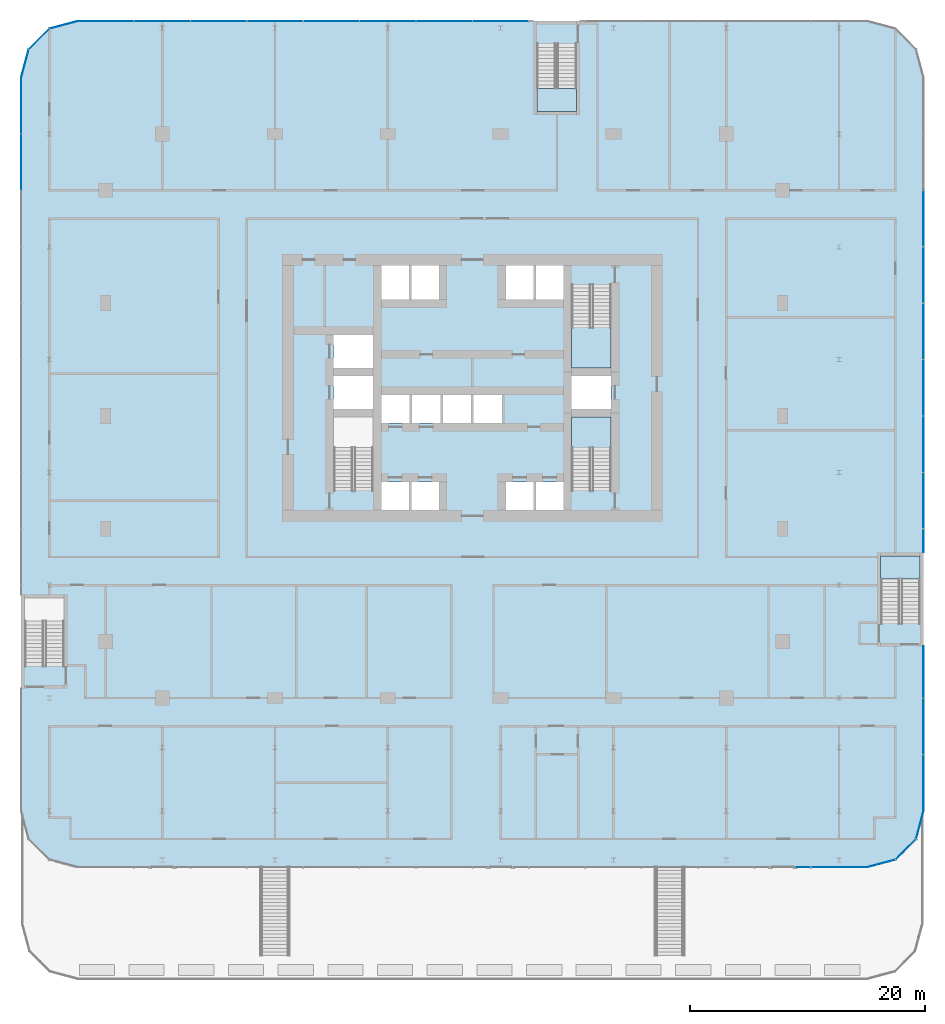
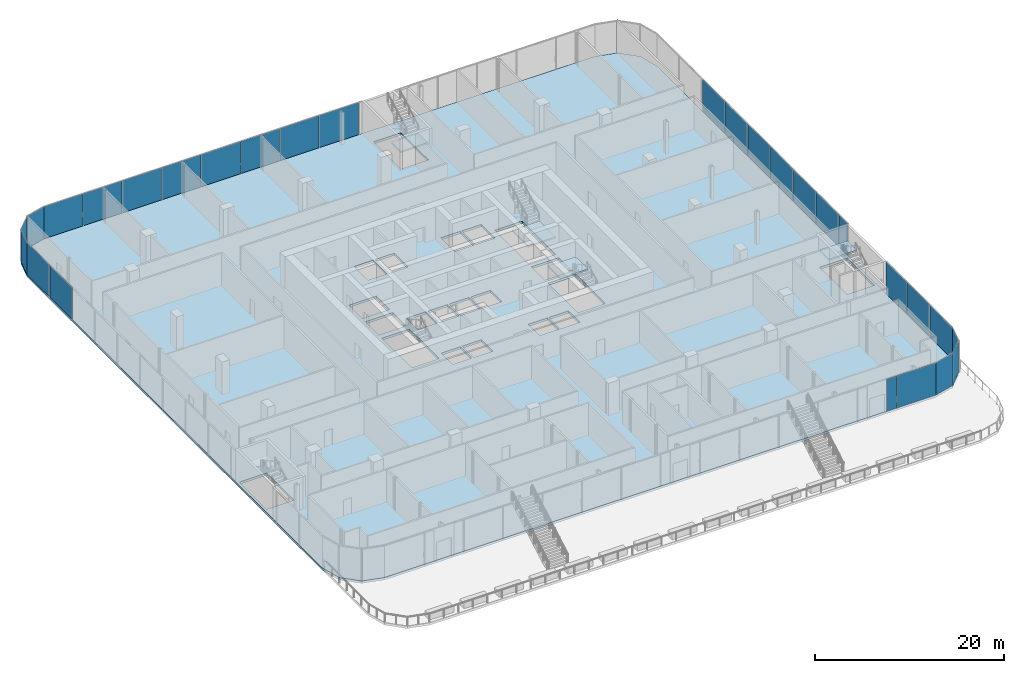
# One storey, part 24 of 38: 28 plates, 5 slabs, 10 elements without a shape of their own.
"""IFC4 building model written with IfcOpenShell, lengths in metres."""

from ifc_helpers import new_model, si_unit, direction, frame, origin, origin_2d, place, context, subcontext, project, spatial, polyline, rectangle, outline, extrude, material, layer, layer_set, type_object, element, aggregate, save


model = new_model("IFC4")

# Units and contexts
model_context = context("Model", 3, precision=1e-05, world=origin(), true_north=direction((0.0, 1.0)))
body_context = subcontext(model_context, "Body", "Model", "MODEL_VIEW")
ifc_project = project(units=[si_unit("LENGTHUNIT", "METRE"), si_unit("AREAUNIT", "SQUARE_METRE"), si_unit("VOLUMEUNIT", "CUBIC_METRE"), si_unit("PLANEANGLEUNIT", "RADIAN"), si_unit("MASSUNIT", "GRAM", prefix="KILO")], contexts=[model_context])

# Site, building, storey
site_placement = place(None, origin())
site = spatial("IfcSite", under=ifc_project, at=site_placement, CompositionType="ELEMENT")
building_placement = place(site_placement, origin())
building = spatial("IfcBuilding", under=site, at=building_placement, Name="Madar Terraces", CompositionType="ELEMENT")
storey_placement = place(building_placement, frame((0.0, 0.0, 15.0)))
storey = spatial("IfcBuildingStorey", under=building, at=storey_placement, Name="L03", CompositionType="ELEMENT", Elevation=15.0)

# Slab
ifc_material_1 = material(Name="Concrete C50/60", Category="concrete")
ifc_layer_1 = layer(ifc_material_1, 0.300048828125)
ifc_layer_set_1 = layer_set([ifc_layer_1], Name="FS2 PT flat slab 300")
slab_type_1 = type_object("IfcSlabType", Name="FS2 PT flat slab 300", PredefinedType="FLOOR", material=ifc_layer_set_1)
slab_1_placement = place(storey_placement, frame((0.0, 0.0, -0.300048828125)))
element("IfcSlab", 1, at=slab_1_placement, inside=storey, type_object=slab_type_1, Name="Floor slab L03 (1)", PredefinedType="FLOOR", context=body_context, shape_type="SweptSolid", body=[
    extrude(outline(polyline([(64.800048828125, -14.39990234375), (67.199951171875, -13.7568359375), (68.95703125, -12.0), (69.60009765625, -9.60009765625), (69.60009765625, 52.800048828125), (68.95703125, 55.199951171875), (67.199951171875, 56.95703125), (64.800048828125, 57.60009765625), (-2.39990234375, 57.60009765625), (-4.800048828125, 56.95703125), (-6.556884765625, 55.199951171875), (-7.199951171875, 52.800048828125), (-7.199951171875, -9.60009765625), (-6.556884765625, -12.0), (-4.800048828125, -13.7568359375), (-2.39990234375, -14.39990234375), (64.800048828125, -14.39990234375)]), holes=[polyline([(-6.89990234375, 2.75), (-6.89990234375, 8.5), (-3.550048828125, 8.5), (-3.550048828125, 2.75), (-6.89990234375, 2.75)]), polyline([(23.449951171875, 16.0), (23.449951171875, 18.39990234375), (25.800048828125, 18.39990234375), (25.800048828125, 16.0), (23.449951171875, 16.0)]), polyline([(26.0, 16.0), (26.0, 18.39990234375), (28.35009765625, 18.39990234375), (28.35009765625, 16.0), (26.0, 16.0)]), polyline([(19.39990234375, 23.89990234375), (22.75, 23.89990234375), (22.75, 17.64990234375), (19.39990234375, 17.64990234375), (19.39990234375, 23.89990234375)]), polyline([(23.449951171875, 25.800048828125), (25.86669921875, 25.800048828125), (25.86669921875, 23.39990234375), (23.449951171875, 23.39990234375), (23.449951171875, 25.800048828125)]), polyline([(26.066650390625, 23.39990234375), (26.066650390625, 25.800048828125), (28.4833984375, 25.800048828125), (28.4833984375, 23.39990234375), (26.066650390625, 23.39990234375)]), polyline([(28.683349609375, 23.39990234375), (28.683349609375, 25.800048828125), (31.10009765625, 25.800048828125), (31.10009765625, 23.39990234375), (28.683349609375, 23.39990234375)]), polyline([(19.39990234375, 24.60009765625), (19.39990234375, 27.39990234375), (22.75, 27.39990234375), (22.75, 24.60009765625), (19.39990234375, 24.60009765625)]), polyline([(19.39990234375, 30.89990234375), (22.75, 30.89990234375), (22.75, 28.10009765625), (19.39990234375, 28.10009765625), (19.39990234375, 30.89990234375)]), polyline([(23.449951171875, 36.800048828125), (25.800048828125, 36.800048828125), (25.800048828125, 33.89990234375), (23.449951171875, 33.89990234375), (23.449951171875, 36.800048828125)]), polyline([(26.0, 33.89990234375), (26.0, 36.800048828125), (28.35009765625, 36.800048828125), (28.35009765625, 33.89990234375), (26.0, 33.89990234375)]), polyline([(65.949951171875, 6.35009765625), (65.949951171875, 12.10009765625), (69.300048828125, 12.10009765625), (69.300048828125, 6.35009765625), (65.949951171875, 6.35009765625)]), polyline([(34.050048828125, 16.0), (34.050048828125, 18.39990234375), (36.39990234375, 18.39990234375), (36.39990234375, 16.0), (34.050048828125, 16.0)]), polyline([(36.60009765625, 18.39990234375), (38.949951171875, 18.39990234375), (38.949951171875, 16.0), (36.60009765625, 16.0), (36.60009765625, 18.39990234375)]), polyline([(39.64990234375, 23.89990234375), (43.0, 23.89990234375), (43.0, 17.64990234375), (39.64990234375, 17.64990234375), (39.64990234375, 23.89990234375)]), polyline([(31.300048828125, 23.39990234375), (31.300048828125, 25.800048828125), (33.716552734375, 25.800048828125), (33.716552734375, 23.39990234375), (31.300048828125, 23.39990234375)]), polyline([(39.64990234375, 27.39990234375), (43.0, 27.39990234375), (43.0, 24.60009765625), (39.64990234375, 24.60009765625), (39.64990234375, 27.39990234375)]), polyline([(39.64990234375, 35.14990234375), (43.0, 35.14990234375), (43.0, 28.10009765625), (39.64990234375, 28.10009765625), (39.64990234375, 35.14990234375)]), polyline([(34.050048828125, 33.89990234375), (34.050048828125, 36.800048828125), (36.39990234375, 36.800048828125), (36.39990234375, 33.89990234375), (34.050048828125, 33.89990234375)]), polyline([(36.60009765625, 36.800048828125), (38.949951171875, 36.800048828125), (38.949951171875, 33.89990234375), (36.60009765625, 33.89990234375), (36.60009765625, 36.800048828125)]), polyline([(36.699951171875, 55.64990234375), (40.050048828125, 55.64990234375), (40.050048828125, 49.89990234375), (36.699951171875, 49.89990234375), (36.699951171875, 55.64990234375)])]), origin(), (0.0, 0.0, 1.0), 0.300048828125),
])

# Curtain wall, plates
ifc_material_2 = material(Name="Glass, clear low-iron, with black aluminium frame", Category="aluminium")
ifc_layer_2 = layer(ifc_material_2, 0.199951171875)
ifc_layer_set_2 = layer_set([ifc_layer_2], Name="Facade curtain wall, shopfront glazing")
curtain_wall_type = type_object("IfcCurtainWallType", Name="Facade curtain wall, shopfront glazing", PredefinedType="NOTDEFINED", material=ifc_layer_set_2)
curtain_wall_1_placement = place(storey_placement, origin())
curtain_wall_1 = element("IfcCurtainWall", 2, at=curtain_wall_1_placement, inside=storey, type_object=curtain_wall_type, Name="Outer skin curtain wall south bay 1", PredefinedType="NOTDEFINED")
ifc_material_3 = material(Name="Glass, ceramic frit dark grey", Category="glass")
ifc_layer_3 = layer(ifc_material_3, 0.028076171875)
ifc_layer_set_3 = layer_set([ifc_layer_3], Name="Facade glass panel 28")
plate_type = type_object("IfcPlateType", Name="Facade glass panel 28", PredefinedType="CURTAIN_PANEL", material=ifc_layer_set_3)
plate_1_placement = place(storey_placement, frame((59.385009765625, -14.39990234375, 0.0), z_axis=(0.0, 0.0, 1.0), x_axis=(1.0, 0.0, 0.0)))
plate_1 = element("IfcPlate", 3, at=plate_1_placement, type_object=plate_type, Name="Panel 16", PredefinedType="CURTAIN_PANEL", context=body_context, shape_type="SweptSolid", body=[
    extrude(rectangle(XDim=1.169921875, YDim=0.028076171875, at=origin_2d()), origin(), (0.0, 0.0, 1.0), 4.139892578125),
])
plate_2_placement = place(storey_placement, frame((62.4150390625, -14.39990234375, 0.0), z_axis=(0.0, 0.0, 1.0), x_axis=(1.0, 0.0, 0.0)))
plate_2 = element("IfcPlate", 4, at=plate_2_placement, type_object=plate_type, Name="Panel 17", PredefinedType="CURTAIN_PANEL", context=body_context, shape_type="SweptSolid", body=[
    extrude(rectangle(XDim=4.77001953125, YDim=0.028076171875, at=origin_2d()), origin(), (0.0, 0.0, 1.0), 4.139892578125),
])
aggregate(curtain_wall_1, [plate_1, plate_2])

curtain_wall_2_placement = place(storey_placement, origin())
curtain_wall_2 = element("IfcCurtainWall", 5, at=curtain_wall_2_placement, inside=storey, type_object=curtain_wall_type, Name="Outer skin curtain wall east bay 1", PredefinedType="NOTDEFINED")
plate_3_placement = place(storey_placement, frame((69.60009765625, -7.215087890625, 0.0), z_axis=(0.0, 0.0, 1.0), x_axis=(0.0, 1.0, 0.0)))
plate_3 = element("IfcPlate", 6, at=plate_3_placement, type_object=plate_type, Name="Panel 1", PredefinedType="CURTAIN_PANEL", context=body_context, shape_type="SweptSolid", body=[
    extrude(rectangle(XDim=4.77001953125, YDim=0.028076171875, at=origin_2d()), origin(), (0.0, 0.0, 1.0), 4.139892578125),
])
plate_4_placement = place(storey_placement, frame((69.60009765625, -2.39990234375, 0.0), z_axis=(0.0, 0.0, 1.0), x_axis=(0.0, 1.0, 0.0)))
plate_4 = element("IfcPlate", 7, at=plate_4_placement, type_object=plate_type, Name="Panel 2", PredefinedType="CURTAIN_PANEL", context=body_context, shape_type="SweptSolid", body=[
    extrude(rectangle(XDim=4.739990234375, YDim=0.028076171875, at=origin_2d()), origin(), (0.0, 0.0, 1.0), 4.139892578125),
])
plate_5_placement = place(storey_placement, frame((69.60009765625, 2.215087890625, 0.0), z_axis=(0.0, 0.0, 1.0), x_axis=(0.0, 1.0, 0.0)))
plate_5 = element("IfcPlate", 8, at=plate_5_placement, type_object=plate_type, Name="Panel 3", PredefinedType="CURTAIN_PANEL", context=body_context, shape_type="SweptSolid", body=[
    extrude(rectangle(XDim=4.3701171875, YDim=0.028076171875, at=origin_2d()), origin(), (0.0, 0.0, 1.0), 4.139892578125),
])
plate_6_placement = place(storey_placement, frame((69.60009765625, 13.385009765625, 0.0), z_axis=(0.0, 0.0, 1.0), x_axis=(0.0, 1.0, 0.0)))
plate_6 = element("IfcPlate", 9, at=plate_6_placement, type_object=plate_type, Name="Panel 4", PredefinedType="CURTAIN_PANEL", context=body_context, shape_type="SweptSolid", body=[
    extrude(rectangle(XDim=1.969970703125, YDim=0.028076171875, at=origin_2d()), origin(), (0.0, 0.0, 1.0), 4.139892578125),
])
plate_7_placement = place(storey_placement, frame((69.60009765625, 16.800048828125, 0.0), z_axis=(0.0, 0.0, 1.0), x_axis=(0.0, 1.0, 0.0)))
plate_7 = element("IfcPlate", 10, at=plate_7_placement, type_object=plate_type, Name="Panel 5", PredefinedType="CURTAIN_PANEL", context=body_context, shape_type="SweptSolid", body=[
    extrude(rectangle(XDim=4.739990234375, YDim=0.028076171875, at=origin_2d()), origin(), (0.0, 0.0, 1.0), 4.139892578125),
])
plate_8_placement = place(storey_placement, frame((69.60009765625, 21.60009765625, 0.0), z_axis=(0.0, 0.0, 1.0), x_axis=(0.0, 1.0, 0.0)))
plate_8 = element("IfcPlate", 11, at=plate_8_placement, type_object=plate_type, Name="Panel 6", PredefinedType="CURTAIN_PANEL", context=body_context, shape_type="SweptSolid", body=[
    extrude(rectangle(XDim=4.739990234375, YDim=0.028076171875, at=origin_2d()), origin(), (0.0, 0.0, 1.0), 4.139892578125),
])
plate_9_placement = place(storey_placement, frame((69.60009765625, 26.39990234375, 0.0), z_axis=(0.0, 0.0, 1.0), x_axis=(0.0, 1.0, 0.0)))
plate_9 = element("IfcPlate", 12, at=plate_9_placement, type_object=plate_type, Name="Panel 7", PredefinedType="CURTAIN_PANEL", context=body_context, shape_type="SweptSolid", body=[
    extrude(rectangle(XDim=4.739990234375, YDim=0.028076171875, at=origin_2d()), origin(), (0.0, 0.0, 1.0), 4.139892578125),
])
plate_10_placement = place(storey_placement, frame((69.60009765625, 31.199951171875, 0.0), z_axis=(0.0, 0.0, 1.0), x_axis=(0.0, 1.0, 0.0)))
plate_10 = element("IfcPlate", 13, at=plate_10_placement, type_object=plate_type, Name="Panel 8", PredefinedType="CURTAIN_PANEL", context=body_context, shape_type="SweptSolid", body=[
    extrude(rectangle(XDim=4.739990234375, YDim=0.028076171875, at=origin_2d()), origin(), (0.0, 0.0, 1.0), 4.139892578125),
])
plate_11_placement = place(storey_placement, frame((69.60009765625, 36.0, 0.0), z_axis=(0.0, 0.0, 1.0), x_axis=(0.0, 1.0, 0.0)))
plate_11 = element("IfcPlate", 14, at=plate_11_placement, type_object=plate_type, Name="Panel 9", PredefinedType="CURTAIN_PANEL", context=body_context, shape_type="SweptSolid", body=[
    extrude(rectangle(XDim=4.739990234375, YDim=0.028076171875, at=origin_2d()), origin(), (0.0, 0.0, 1.0), 4.139892578125),
])
plate_12_placement = place(storey_placement, frame((69.60009765625, 40.800048828125, 0.0), z_axis=(0.0, 0.0, 1.0), x_axis=(0.0, 1.0, 0.0)))
plate_12 = element("IfcPlate", 15, at=plate_12_placement, type_object=plate_type, Name="Panel 10", PredefinedType="CURTAIN_PANEL", context=body_context, shape_type="SweptSolid", body=[
    extrude(rectangle(XDim=4.739990234375, YDim=0.028076171875, at=origin_2d()), origin(), (0.0, 0.0, 1.0), 4.139892578125),
])
aggregate(curtain_wall_2, [plate_3, plate_4, plate_5, plate_6, plate_7, plate_8, plate_9, plate_10, plate_11, plate_12])

curtain_wall_3_placement = place(storey_placement, origin())
curtain_wall_3 = element("IfcCurtainWall", 16, at=curtain_wall_3_placement, inside=storey, type_object=curtain_wall_type, Name="Outer skin curtain wall north bay 1", PredefinedType="NOTDEFINED")
plate_13_placement = place(storey_placement, frame((33.60009765625, 57.60009765625, 0.0), z_axis=(0.0, 0.0, 1.0), x_axis=(-1.0, 0.0, 0.0)))
plate_13 = element("IfcPlate", 17, at=plate_13_placement, type_object=plate_type, Name="Panel 8", PredefinedType="CURTAIN_PANEL", context=body_context, shape_type="SweptSolid", body=[
    extrude(rectangle(XDim=4.739990234375, YDim=0.028076171875, at=origin_2d()), origin(), (0.0, 0.0, 1.0), 4.139892578125),
])
plate_14_placement = place(storey_placement, frame((28.800048828125, 57.60009765625, 0.0), z_axis=(0.0, 0.0, 1.0), x_axis=(-1.0, 0.0, 0.0)))
plate_14 = element("IfcPlate", 18, at=plate_14_placement, type_object=plate_type, Name="Panel 9", PredefinedType="CURTAIN_PANEL", context=body_context, shape_type="SweptSolid", body=[
    extrude(rectangle(XDim=4.739990234375, YDim=0.028076171875, at=origin_2d()), origin(), (0.0, 0.0, 1.0), 4.139892578125),
])
plate_15_placement = place(storey_placement, frame((24.0, 57.60009765625, 0.0), z_axis=(0.0, 0.0, 1.0), x_axis=(-1.0, 0.0, 0.0)))
plate_15 = element("IfcPlate", 19, at=plate_15_placement, type_object=plate_type, Name="Panel 10", PredefinedType="CURTAIN_PANEL", context=body_context, shape_type="SweptSolid", body=[
    extrude(rectangle(XDim=4.739990234375, YDim=0.028076171875, at=origin_2d()), origin(), (0.0, 0.0, 1.0), 4.139892578125),
])
plate_16_placement = place(storey_placement, frame((19.199951171875, 57.60009765625, 0.0), z_axis=(0.0, 0.0, 1.0), x_axis=(-1.0, 0.0, 0.0)))
plate_16 = element("IfcPlate", 20, at=plate_16_placement, type_object=plate_type, Name="Panel 11", PredefinedType="CURTAIN_PANEL", context=body_context, shape_type="SweptSolid", body=[
    extrude(rectangle(XDim=4.739990234375, YDim=0.028076171875, at=origin_2d()), origin(), (0.0, 0.0, 1.0), 4.139892578125),
])
plate_17_placement = place(storey_placement, frame((14.39990234375, 57.60009765625, 0.0), z_axis=(0.0, 0.0, 1.0), x_axis=(-1.0, 0.0, 0.0)))
plate_17 = element("IfcPlate", 21, at=plate_17_placement, type_object=plate_type, Name="Panel 12", PredefinedType="CURTAIN_PANEL", context=body_context, shape_type="SweptSolid", body=[
    extrude(rectangle(XDim=4.739990234375, YDim=0.028076171875, at=origin_2d()), origin(), (0.0, 0.0, 1.0), 4.139892578125),
])
plate_18_placement = place(storey_placement, frame((9.60009765625, 57.60009765625, 0.0), z_axis=(0.0, 0.0, 1.0), x_axis=(-1.0, 0.0, 0.0)))
plate_18 = element("IfcPlate", 22, at=plate_18_placement, type_object=plate_type, Name="Panel 13", PredefinedType="CURTAIN_PANEL", context=body_context, shape_type="SweptSolid", body=[
    extrude(rectangle(XDim=4.739990234375, YDim=0.028076171875, at=origin_2d()), origin(), (0.0, 0.0, 1.0), 4.139892578125),
])
plate_19_placement = place(storey_placement, frame((4.800048828125, 57.60009765625, 0.0), z_axis=(0.0, 0.0, 1.0), x_axis=(-1.0, 0.0, 0.0)))
plate_19 = element("IfcPlate", 23, at=plate_19_placement, type_object=plate_type, Name="Panel 14", PredefinedType="CURTAIN_PANEL", context=body_context, shape_type="SweptSolid", body=[
    extrude(rectangle(XDim=4.739990234375, YDim=0.028076171875, at=origin_2d()), origin(), (0.0, 0.0, 1.0), 4.139892578125),
])
plate_20_placement = place(storey_placement, frame((-0.014892578125, 57.60009765625, 0.0), z_axis=(0.0, 0.0, 1.0), x_axis=(-1.0, 0.0, 0.0)))
plate_20 = element("IfcPlate", 24, at=plate_20_placement, type_object=plate_type, Name="Panel 15", PredefinedType="CURTAIN_PANEL", context=body_context, shape_type="SweptSolid", body=[
    extrude(rectangle(XDim=4.77001953125, YDim=0.028076171875, at=origin_2d()), origin(), (0.0, 0.0, 1.0), 4.139892578125),
])
aggregate(curtain_wall_3, [plate_13, plate_14, plate_15, plate_16, plate_17, plate_18, plate_19, plate_20])

curtain_wall_4_placement = place(storey_placement, origin())
curtain_wall_4 = element("IfcCurtainWall", 25, at=curtain_wall_4_placement, inside=storey, type_object=curtain_wall_type, Name="Outer skin curtain wall west bay 1", PredefinedType="NOTDEFINED")
plate_21_placement = place(storey_placement, frame((-7.199951171875, 50.4150390625, 0.0), z_axis=(0.0, 0.0, 1.0), x_axis=(0.0, -1.0, 0.0)))
plate_21 = element("IfcPlate", 26, at=plate_21_placement, type_object=plate_type, Name="Panel 1", PredefinedType="CURTAIN_PANEL", context=body_context, shape_type="SweptSolid", body=[
    extrude(rectangle(XDim=4.77001953125, YDim=0.028076171875, at=origin_2d()), origin(), (0.0, 0.0, 1.0), 4.139892578125),
])
plate_22_placement = place(storey_placement, frame((-7.199951171875, 45.60009765625, 0.0), z_axis=(0.0, 0.0, 1.0), x_axis=(0.0, -1.0, 0.0)))
plate_22 = element("IfcPlate", 27, at=plate_22_placement, type_object=plate_type, Name="Panel 2", PredefinedType="CURTAIN_PANEL", context=body_context, shape_type="SweptSolid", body=[
    extrude(rectangle(XDim=4.739990234375, YDim=0.028076171875, at=origin_2d()), origin(), (0.0, 0.0, 1.0), 4.139892578125),
])
aggregate(curtain_wall_4, [plate_21, plate_22])

curtain_wall_5_placement = place(storey_placement, origin())
curtain_wall_5 = element("IfcCurtainWall", 28, at=curtain_wall_5_placement, inside=storey, type_object=curtain_wall_type, Name="Outer skin curtain wall south-east corner", PredefinedType="NOTDEFINED")
plate_23_placement = place(storey_placement, frame((65.985595703125, -14.082275390625, 0.0), z_axis=(0.0, 0.0, 1.0), x_axis=(0.965925832509, 0.258819021888, 0.0)))
plate_23 = element("IfcPlate", 29, at=plate_23_placement, type_object=plate_type, Name="Panel 1", PredefinedType="CURTAIN_PANEL", context=body_context, shape_type="SweptSolid", body=[
    extrude(rectangle(XDim=2.45458984375, YDim=0.028076171875, at=origin_2d()), origin(), (0.0, 0.0, 1.0), 4.139892578125),
])
plate_24_placement = place(storey_placement, frame((68.078369140625, -12.87841796875, 0.0), z_axis=(0.0, 0.0, 1.0), x_axis=(0.707106781187, 0.707106781187, 0.0)))
plate_24 = element("IfcPlate", 30, at=plate_24_placement, type_object=plate_type, Name="Panel 2", PredefinedType="CURTAIN_PANEL", context=body_context, shape_type="SweptSolid", body=[
    extrude(rectangle(XDim=2.424560546875, YDim=0.028076171875, at=origin_2d()), origin(), (0.0, 0.0, 1.0), 4.139892578125),
])
plate_25_placement = place(storey_placement, frame((69.2822265625, -10.785400390625, 0.0), z_axis=(0.0, 0.0, 1.0), x_axis=(0.258819021888, 0.965925832509, 0.0)))
plate_25 = element("IfcPlate", 31, at=plate_25_placement, type_object=plate_type, Name="Panel 3", PredefinedType="CURTAIN_PANEL", context=body_context, shape_type="SweptSolid", body=[
    extrude(rectangle(XDim=2.45458984375, YDim=0.028076171875, at=origin_2d()), origin(), (0.0, 0.0, 1.0), 4.139892578125),
])
aggregate(curtain_wall_5, [plate_23, plate_24, plate_25])

curtain_wall_6_placement = place(storey_placement, origin())
curtain_wall_6 = element("IfcCurtainWall", 32, at=curtain_wall_6_placement, inside=storey, type_object=curtain_wall_type, Name="Outer skin curtain wall north-west corner", PredefinedType="NOTDEFINED")
plate_26_placement = place(storey_placement, frame((-3.58544921875, 57.2822265625, 0.0), z_axis=(0.0, 0.0, 1.0), x_axis=(-0.965925832509, -0.258819021888, 0.0)))
plate_26 = element("IfcPlate", 33, at=plate_26_placement, type_object=plate_type, Name="Panel 1", PredefinedType="CURTAIN_PANEL", context=body_context, shape_type="SweptSolid", body=[
    extrude(rectangle(XDim=2.45458984375, YDim=0.028076171875, at=origin_2d()), origin(), (0.0, 0.0, 1.0), 4.139892578125),
])
plate_27_placement = place(storey_placement, frame((-5.678466796875, 56.078369140625, 0.0), z_axis=(0.0, 0.0, 1.0), x_axis=(-0.707106781187, -0.707106781187, 0.0)))
plate_27 = element("IfcPlate", 34, at=plate_27_placement, type_object=plate_type, Name="Panel 2", PredefinedType="CURTAIN_PANEL", context=body_context, shape_type="SweptSolid", body=[
    extrude(rectangle(XDim=2.424560546875, YDim=0.028076171875, at=origin_2d()), origin(), (0.0, 0.0, 1.0), 4.139892578125),
])
plate_28_placement = place(storey_placement, frame((-6.88232421875, 53.985595703125, 0.0), z_axis=(0.0, 0.0, 1.0), x_axis=(-0.258819021888, -0.965925832509, 0.0)))
plate_28 = element("IfcPlate", 35, at=plate_28_placement, type_object=plate_type, Name="Panel 3", PredefinedType="CURTAIN_PANEL", context=body_context, shape_type="SweptSolid", body=[
    extrude(rectangle(XDim=2.45458984375, YDim=0.028076171875, at=origin_2d()), origin(), (0.0, 0.0, 1.0), 4.139892578125),
])
aggregate(curtain_wall_6, [plate_26, plate_27, plate_28])

# Stair, slab
ifc_material_4 = material(Name="Concrete C50/60", Category="concrete")
stair_type_1 = type_object("IfcStairType", Name="Stair ST2 protected exit", PredefinedType="HALF_TURN_STAIR", material=ifc_material_4)
stair_1_placement = place(storey_placement, origin())
stair_1 = element("IfcStair", 36, at=stair_1_placement, inside=storey, type_object=stair_type_1, Name="L03 Protected Exit Stair ST2", PredefinedType="HALF_TURN_STAIR")
ifc_material_5 = material(Name="Concrete C50/60", Category="concrete")
ifc_layer_4 = layer(ifc_material_5, 0.199951171875)
ifc_layer_set_4 = layer_set([ifc_layer_4], Name="Stair landing 200, top +2.25")
slab_type_2 = type_object("IfcSlabType", Name="Stair landing 200, top +2.25", PredefinedType="LANDING", material=ifc_layer_set_4)
slab_2_placement = place(storey_placement, frame((0.0, 0.0, 2.050048828125)))
slab_2 = element("IfcSlab", 37, at=slab_2_placement, type_object=slab_type_2, Name="ST2 landing 1", PredefinedType="LANDING", context=body_context, shape_type="SweptSolid", body=[
    extrude(outline(polyline([(39.64990234375, 28.10009765625), (43.0, 28.10009765625), (43.0, 31.510009765625), (39.64990234375, 31.510009765625), (39.64990234375, 28.10009765625)])), origin(), (0.0, 0.0, 1.0), 0.199951171875),
])
aggregate(stair_1, [slab_2])

ifc_material_6 = material(Name="Concrete C50/60", Category="concrete")
stair_type_2 = type_object("IfcStairType", Name="Stair ST3 protected exit", PredefinedType="HALF_TURN_STAIR", material=ifc_material_6)
stair_2_placement = place(storey_placement, origin())
stair_2 = element("IfcStair", 38, at=stair_2_placement, inside=storey, type_object=stair_type_2, Name="L03 Protected Exit Stair ST3", PredefinedType="HALF_TURN_STAIR")
slab_3_placement = place(storey_placement, frame((0.0, 0.0, 2.050048828125)))
slab_3 = element("IfcSlab", 39, at=slab_3_placement, type_object=slab_type_2, Name="ST3 landing 1", PredefinedType="LANDING", context=body_context, shape_type="SweptSolid", body=[
    extrude(outline(polyline([(39.64990234375, 21.2900390625), (43.0, 21.2900390625), (43.0, 23.89990234375), (39.64990234375, 23.89990234375), (39.64990234375, 21.2900390625)])), origin(), (0.0, 0.0, 1.0), 0.199951171875),
])
aggregate(stair_2, [slab_3])

ifc_material_7 = material(Name="Concrete C50/60", Category="concrete")
stair_type_3 = type_object("IfcStairType", Name="Stair PS2 protected exit", PredefinedType="HALF_TURN_STAIR", material=ifc_material_7)
stair_3_placement = place(storey_placement, origin())
stair_3 = element("IfcStair", 40, at=stair_3_placement, inside=storey, type_object=stair_type_3, Name="L03 Protected Exit Stair PS2", PredefinedType="HALF_TURN_STAIR")
slab_4_placement = place(storey_placement, frame((0.0, 0.0, 2.050048828125)))
slab_4 = element("IfcSlab", 41, at=slab_4_placement, type_object=slab_type_2, Name="PS2 landing 1", PredefinedType="LANDING", context=body_context, shape_type="SweptSolid", body=[
    extrude(outline(polyline([(36.699951171875, 49.89990234375), (40.050048828125, 49.89990234375), (40.050048828125, 51.889892578125), (36.699951171875, 51.889892578125), (36.699951171875, 49.89990234375)])), origin(), (0.0, 0.0, 1.0), 0.199951171875),
])
aggregate(stair_3, [slab_4])

ifc_material_8 = material(Name="Concrete C50/60", Category="concrete")
stair_type_4 = type_object("IfcStairType", Name="Stair PS3 protected exit", PredefinedType="HALF_TURN_STAIR", material=ifc_material_8)
stair_4_placement = place(storey_placement, origin())
stair_4 = element("IfcStair", 42, at=stair_4_placement, inside=storey, type_object=stair_type_4, Name="L03 Protected Exit Stair PS3", PredefinedType="HALF_TURN_STAIR")
slab_5_placement = place(storey_placement, frame((0.0, 0.0, 2.050048828125)))
slab_5 = element("IfcSlab", 43, at=slab_5_placement, type_object=slab_type_2, Name="PS3 landing 1", PredefinedType="LANDING", context=body_context, shape_type="SweptSolid", body=[
    extrude(outline(polyline([(65.949951171875, 10.110107421875), (69.300048828125, 10.110107421875), (69.300048828125, 12.10009765625), (65.949951171875, 12.10009765625), (65.949951171875, 10.110107421875)])), origin(), (0.0, 0.0, 1.0), 0.199951171875),
])
aggregate(stair_4, [slab_5])

save(model, "model.ifc")
